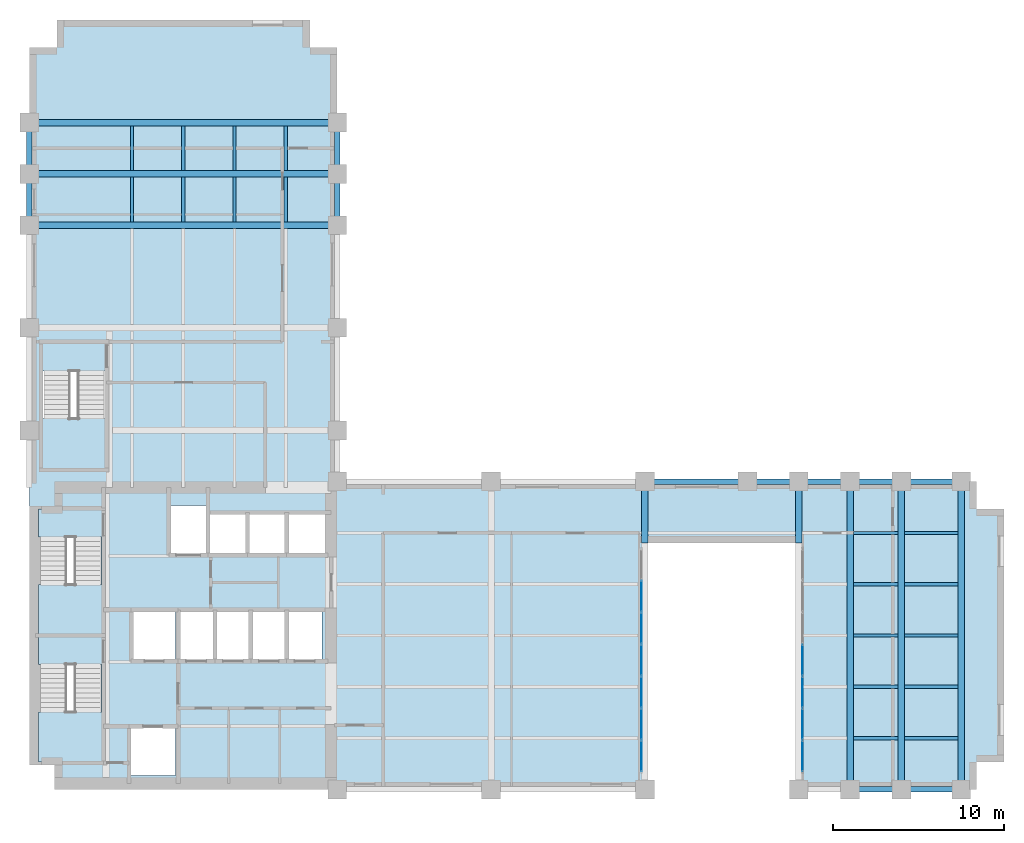
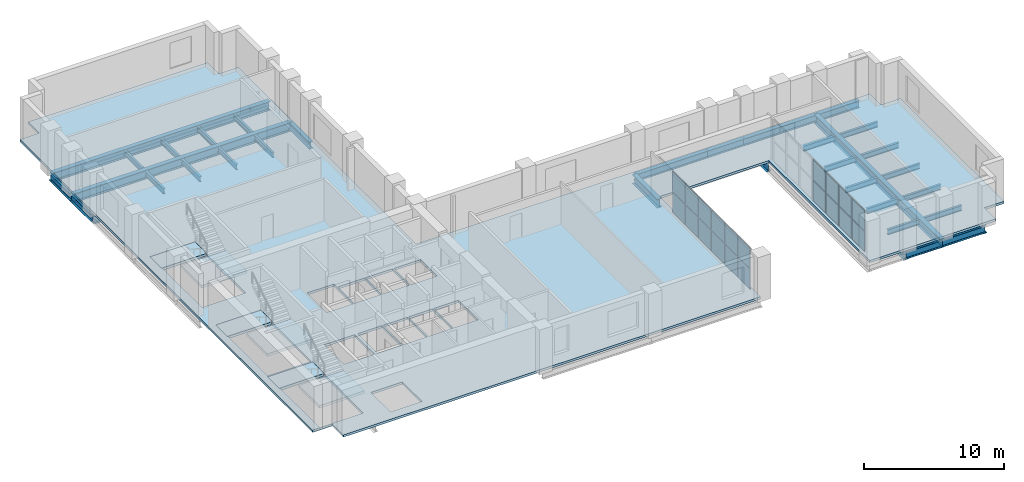
# One storey, part 5 of 10: 37 beams, 20 plates, 7 slabs, 5 elements without a shape of their own.
"""IFC4 building model written with IfcOpenShell, lengths in metres."""

from ifc_helpers import new_model, si_unit, direction, frame, origin, origin_2d, place, context, subcontext, project, spatial, polyline, rectangle, i_section, outline, extrude, material, layer, layer_set, material_profile, profile_set, type_object, element, aggregate, save


model = new_model("IFC4")

# Units and contexts
model_context = context("Model", 3, precision=1e-05, world=origin(), true_north=direction((0.0, 1.0)))
body_context = subcontext(model_context, "Body", "Model", "MODEL_VIEW")
ifc_project = project(units=[si_unit("LENGTHUNIT", "METRE"), si_unit("AREAUNIT", "SQUARE_METRE"), si_unit("VOLUMEUNIT", "CUBIC_METRE"), si_unit("PLANEANGLEUNIT", "RADIAN"), si_unit("MASSUNIT", "GRAM", prefix="KILO")], contexts=[model_context])

# Site, building, storey
site_placement = place(None, origin())
site = spatial("IfcSite", under=ifc_project, at=site_placement, CompositionType="ELEMENT")
building_placement = place(site_placement, origin())
building = spatial("IfcBuilding", under=site, at=building_placement, Name="Mawjdan Bourse Tower", CompositionType="ELEMENT")
storey_placement = place(building_placement, frame((0.0, 0.0, 124.5)))
storey = spatial("IfcBuildingStorey", under=building, at=storey_placement, Name="L29", CompositionType="ELEMENT", Elevation=124.5)

# Beams
ifc_material_1 = material(Name="Structural Steel S355", Category="steel")
ifc_material_profile_1 = material_profile(ifc_material_1, i_section(OverallWidth=0.381103515625, OverallDepth=0.77294921875, WebThickness=0.0166015625, FlangeThickness=0.027099609375, FilletRadius=0.021728515625, at=origin_2d()), Name="W30X173")
ifc_profile_set_1 = profile_set([ifc_material_profile_1], Name="Structural Steel S355")
beam_type_1 = type_object("IfcBeamType", Name="GRD-W30X173", PredefinedType="BEAM", material=ifc_profile_set_1)
for number, where, z_axis, x_axis, name in (
    (1, (42.0, 17.39990234375, -0.58642578125), (0.0, 1.0, 0.0), (-1.0, 0.0, 0.0), "L29 East Wing Clear-Span Girder 004"),
    (2, (51.0, 17.39990234375, -0.58642578125), (0.0, 1.0, 0.0), (-1.0, 0.0, 0.0), "L29 East Wing Clear-Span Girder 006"),
):
    element("IfcBeam", number, at=place(storey_placement, frame(where, z_axis=z_axis, x_axis=x_axis)), inside=storey, type_object=beam_type_1, Name=name, PredefinedType="BEAM", context=body_context, shape_type="SweptSolid", body=[
        extrude(i_section(OverallWidth=0.381103515625, OverallDepth=0.77294921875, WebThickness=0.0166015625, FlangeThickness=0.027099609375, FilletRadius=0.021728515625, at=origin_2d()), origin(), (0.0, 0.0, 1.0), 3.60009765625),
    ])
for number, where, z_axis, x_axis, name in (
    (3, (54.0, 3.0, -0.58642578125), (0.0, 1.0, 0.0), (-1.0, 0.0, 0.0), "L29 East Wing Clear-Span Girder 007"),
    (4, (57.0, 3.0, -0.58642578125), (0.0, 1.0, 0.0), (-1.0, 0.0, 0.0), "L29 East Wing Clear-Span Girder 008"),
    (5, (60.5, 3.0, -0.58642578125), (0.0, 1.0, 0.0), (-1.0, 0.0, 0.0), "L29 East Wing Clear-Span Girder 009"),
    (6, (6.0, 36.0, -0.58642578125), (1.0, 0.0, 0.0), (0.0, 1.0, 0.0), "L29 North Wing Clear-Span Girder 055"),
    (7, (6.0, 39.0, -0.58642578125), (1.0, 0.0, 0.0), (0.0, 1.0, 0.0), "L29 North Wing Clear-Span Girder 056"),
    (8, (6.0, 42.0, -0.58642578125), (1.0, 0.0, 0.0), (0.0, 1.0, 0.0), "L29 North Wing Clear-Span Girder 057"),
):
    element("IfcBeam", number, at=place(storey_placement, frame(where, z_axis=z_axis, x_axis=x_axis)), inside=storey, type_object=beam_type_1, Name=name, PredefinedType="BEAM", context=body_context, shape_type="SweptSolid", body=[
        extrude(i_section(OverallWidth=0.381103515625, OverallDepth=0.77294921875, WebThickness=0.0166015625, FlangeThickness=0.027099609375, FilletRadius=0.021728515625, at=origin_2d()), origin(), (0.0, 0.0, 1.0), 18.0),
    ])
ifc_material_profile_2 = material_profile(ifc_material_1, i_section(OverallWidth=0.19189453125, OverallDepth=0.462890625, WebThickness=0.010498046875, FlangeThickness=0.017578125, FilletRadius=0.01416015625, at=origin_2d()), Name="W18X60")
ifc_profile_set_2 = profile_set([ifc_material_profile_2], Name="Structural Steel S355")
beam_type_2 = type_object("IfcBeamType", Name="JST-W18X60", PredefinedType="JOIST", material=ifc_profile_set_2)
beam_1_placement = place(storey_placement, frame((54.1884765625, 6.0, -0.431396484375), z_axis=(1.0, 0.0, 0.0), x_axis=(0.0, 1.0, 0.0)))
element("IfcBeam", 9, at=beam_1_placement, inside=storey, type_object=beam_type_2, Name="L29 East Wing Composite Joist 025", PredefinedType="JOIST", context=body_context, shape_type="SweptSolid", body=[
    extrude(i_section(OverallWidth=0.19189453125, OverallDepth=0.462890625, WebThickness=0.010498046875, FlangeThickness=0.017578125, FilletRadius=0.01416015625, at=origin_2d()), origin(), (0.0, 0.0, 1.0), 2.623046875),
])
beam_2_placement = place(storey_placement, frame((57.1884765625, 6.0, -0.431396484375), z_axis=(1.0, 0.0, 0.0), x_axis=(0.0, 1.0, 0.0)))
element("IfcBeam", 10, at=beam_2_placement, inside=storey, type_object=beam_type_2, Name="L29 East Wing Composite Joist 026", PredefinedType="JOIST", context=body_context, shape_type="SweptSolid", body=[
    extrude(i_section(OverallWidth=0.19189453125, OverallDepth=0.462890625, WebThickness=0.010498046875, FlangeThickness=0.017578125, FilletRadius=0.01416015625, at=origin_2d()), origin(), (0.0, 0.0, 1.0), 3.123046875),
])
beam_3_placement = place(storey_placement, frame((54.1884765625, 9.0, -0.431396484375), z_axis=(1.0, 0.0, 0.0), x_axis=(0.0, 1.0, 0.0)))
element("IfcBeam", 11, at=beam_3_placement, inside=storey, type_object=beam_type_2, Name="L29 East Wing Composite Joist 030", PredefinedType="JOIST", context=body_context, shape_type="SweptSolid", body=[
    extrude(i_section(OverallWidth=0.19189453125, OverallDepth=0.462890625, WebThickness=0.010498046875, FlangeThickness=0.017578125, FilletRadius=0.01416015625, at=origin_2d()), origin(), (0.0, 0.0, 1.0), 2.623046875),
])
beam_4_placement = place(storey_placement, frame((57.1884765625, 9.0, -0.431396484375), z_axis=(1.0, 0.0, 0.0), x_axis=(0.0, 1.0, 0.0)))
element("IfcBeam", 12, at=beam_4_placement, inside=storey, type_object=beam_type_2, Name="L29 East Wing Composite Joist 031", PredefinedType="JOIST", context=body_context, shape_type="SweptSolid", body=[
    extrude(i_section(OverallWidth=0.19189453125, OverallDepth=0.462890625, WebThickness=0.010498046875, FlangeThickness=0.017578125, FilletRadius=0.01416015625, at=origin_2d()), origin(), (0.0, 0.0, 1.0), 3.123046875),
])
beam_5_placement = place(storey_placement, frame((54.1884765625, 12.0, -0.431396484375), z_axis=(1.0, 0.0, 0.0), x_axis=(0.0, 1.0, 0.0)))
element("IfcBeam", 13, at=beam_5_placement, inside=storey, type_object=beam_type_2, Name="L29 East Wing Composite Joist 035", PredefinedType="JOIST", context=body_context, shape_type="SweptSolid", body=[
    extrude(i_section(OverallWidth=0.19189453125, OverallDepth=0.462890625, WebThickness=0.010498046875, FlangeThickness=0.017578125, FilletRadius=0.01416015625, at=origin_2d()), origin(), (0.0, 0.0, 1.0), 2.623046875),
])
beam_6_placement = place(storey_placement, frame((57.1884765625, 12.0, -0.431396484375), z_axis=(1.0, 0.0, 0.0), x_axis=(0.0, 1.0, 0.0)))
element("IfcBeam", 14, at=beam_6_placement, inside=storey, type_object=beam_type_2, Name="L29 East Wing Composite Joist 036", PredefinedType="JOIST", context=body_context, shape_type="SweptSolid", body=[
    extrude(i_section(OverallWidth=0.19189453125, OverallDepth=0.462890625, WebThickness=0.010498046875, FlangeThickness=0.017578125, FilletRadius=0.01416015625, at=origin_2d()), origin(), (0.0, 0.0, 1.0), 3.123046875),
])
beam_7_placement = place(storey_placement, frame((54.1884765625, 15.0, -0.431396484375), z_axis=(1.0, 0.0, 0.0), x_axis=(0.0, 1.0, 0.0)))
element("IfcBeam", 15, at=beam_7_placement, inside=storey, type_object=beam_type_2, Name="L29 East Wing Composite Joist 040", PredefinedType="JOIST", context=body_context, shape_type="SweptSolid", body=[
    extrude(i_section(OverallWidth=0.19189453125, OverallDepth=0.462890625, WebThickness=0.010498046875, FlangeThickness=0.017578125, FilletRadius=0.01416015625, at=origin_2d()), origin(), (0.0, 0.0, 1.0), 2.623046875),
])
beam_8_placement = place(storey_placement, frame((57.1884765625, 15.0, -0.431396484375), z_axis=(1.0, 0.0, 0.0), x_axis=(0.0, 1.0, 0.0)))
element("IfcBeam", 16, at=beam_8_placement, inside=storey, type_object=beam_type_2, Name="L29 East Wing Composite Joist 041", PredefinedType="JOIST", context=body_context, shape_type="SweptSolid", body=[
    extrude(i_section(OverallWidth=0.19189453125, OverallDepth=0.462890625, WebThickness=0.010498046875, FlangeThickness=0.017578125, FilletRadius=0.01416015625, at=origin_2d()), origin(), (0.0, 0.0, 1.0), 3.123046875),
])
beam_9_placement = place(storey_placement, frame((54.1884765625, 18.0, -0.431396484375), z_axis=(1.0, 0.0, 0.0), x_axis=(0.0, 1.0, 0.0)))
element("IfcBeam", 17, at=beam_9_placement, inside=storey, type_object=beam_type_2, Name="L29 East Wing Composite Joist 046", PredefinedType="JOIST", context=body_context, shape_type="SweptSolid", body=[
    extrude(i_section(OverallWidth=0.19189453125, OverallDepth=0.462890625, WebThickness=0.010498046875, FlangeThickness=0.017578125, FilletRadius=0.01416015625, at=origin_2d()), origin(), (0.0, 0.0, 1.0), 2.623046875),
])
beam_10_placement = place(storey_placement, frame((57.1884765625, 18.0, -0.431396484375), z_axis=(1.0, 0.0, 0.0), x_axis=(0.0, 1.0, 0.0)))
element("IfcBeam", 18, at=beam_10_placement, inside=storey, type_object=beam_type_2, Name="L29 East Wing Composite Joist 047", PredefinedType="JOIST", context=body_context, shape_type="SweptSolid", body=[
    extrude(i_section(OverallWidth=0.19189453125, OverallDepth=0.462890625, WebThickness=0.010498046875, FlangeThickness=0.017578125, FilletRadius=0.01416015625, at=origin_2d()), origin(), (0.0, 0.0, 1.0), 3.123046875),
])
for number, where, z_axis, x_axis, name in (
    (19, (12.0, 36.1884765625, -0.431396484375), (0.0, 1.0, 0.0), (-1.0, 0.0, 0.0), "L29 North Wing Composite Joist 071"),
    (20, (12.0, 39.1884765625, -0.431396484375), (0.0, 1.0, 0.0), (-1.0, 0.0, 0.0), "L29 North Wing Composite Joist 072"),
    (21, (15.0, 36.1884765625, -0.431396484375), (0.0, 1.0, 0.0), (-1.0, 0.0, 0.0), "L29 North Wing Composite Joist 076"),
    (22, (15.0, 39.1884765625, -0.431396484375), (0.0, 1.0, 0.0), (-1.0, 0.0, 0.0), "L29 North Wing Composite Joist 077"),
    (23, (18.0, 36.1884765625, -0.431396484375), (0.0, 1.0, 0.0), (-1.0, 0.0, 0.0), "L29 North Wing Composite Joist 081"),
    (24, (18.0, 39.1884765625, -0.431396484375), (0.0, 1.0, 0.0), (-1.0, 0.0, 0.0), "L29 North Wing Composite Joist 082"),
    (25, (21.0, 36.1884765625, -0.431396484375), (0.0, 1.0, 0.0), (-1.0, 0.0, 0.0), "L29 North Wing Composite Joist 086"),
    (26, (21.0, 39.1884765625, -0.431396484375), (0.0, 1.0, 0.0), (-1.0, 0.0, 0.0), "L29 North Wing Composite Joist 087"),
):
    element("IfcBeam", number, at=place(storey_placement, frame(where, z_axis=z_axis, x_axis=x_axis)), inside=storey, type_object=beam_type_2, Name=name, PredefinedType="JOIST", context=body_context, shape_type="SweptSolid", body=[
        extrude(i_section(OverallWidth=0.19189453125, OverallDepth=0.462890625, WebThickness=0.010498046875, FlangeThickness=0.017578125, FilletRadius=0.01416015625, at=origin_2d()), origin(), (0.0, 0.0, 1.0), 2.623046875),
    ])
ifc_material_profile_3 = material_profile(ifc_material_1, i_section(OverallWidth=0.324951171875, OverallDepth=0.616943359375, WebThickness=0.013916015625, FlangeThickness=0.021484375, FilletRadius=0.017333984375, at=origin_2d()), Name="W24X117")
ifc_profile_set_3 = profile_set([ifc_material_profile_3], Name="Structural Steel S355")
beam_type_3 = type_object("IfcBeamType", Name="SPN-W24X117", PredefinedType="SPANDREL", material=ifc_profile_set_3)
beam_11_placement = place(storey_placement, frame((54.0, 3.0, -0.508544921875), z_axis=(1.0, 0.0, 0.0), x_axis=(0.0, 1.0, 0.0)))
element("IfcBeam", 27, at=beam_11_placement, inside=storey, type_object=beam_type_3, Name="L29 Perimeter Masonry-Shelf Spandrel 013", PredefinedType="SPANDREL", context=body_context, shape_type="SweptSolid", body=[
    extrude(i_section(OverallWidth=0.324951171875, OverallDepth=0.616943359375, WebThickness=0.013916015625, FlangeThickness=0.021484375, FilletRadius=0.017333984375, at=origin_2d()), origin(), (0.0, 0.0, 1.0), 3.0),
])
beam_12_placement = place(storey_placement, frame((57.0, 3.0, -0.508544921875), z_axis=(1.0, 0.0, 0.0), x_axis=(0.0, 1.0, 0.0)))
element("IfcBeam", 28, at=beam_12_placement, inside=storey, type_object=beam_type_3, Name="L29 Perimeter Masonry-Shelf Spandrel 014", PredefinedType="SPANDREL", context=body_context, shape_type="SweptSolid", body=[
    extrude(i_section(OverallWidth=0.324951171875, OverallDepth=0.616943359375, WebThickness=0.013916015625, FlangeThickness=0.021484375, FilletRadius=0.017333984375, at=origin_2d()), origin(), (0.0, 0.0, 1.0), 3.5),
])
beam_13_placement = place(storey_placement, frame((42.0, 21.0, -0.508544921875), z_axis=(1.0, 0.0, 0.0), x_axis=(0.0, 1.0, 0.0)))
element("IfcBeam", 29, at=beam_13_placement, inside=storey, type_object=beam_type_3, Name="L29 Perimeter Masonry-Shelf Spandrel 017", PredefinedType="SPANDREL", context=body_context, shape_type="SweptSolid", body=[
    extrude(i_section(OverallWidth=0.324951171875, OverallDepth=0.616943359375, WebThickness=0.013916015625, FlangeThickness=0.021484375, FilletRadius=0.017333984375, at=origin_2d()), origin(), (0.0, 0.0, 1.0), 6.0),
])
for number, where, z_axis, x_axis, name in (
    (30, (48.0, 21.0, -0.508544921875), (1.0, 0.0, 0.0), (0.0, 1.0, 0.0), "L29 Perimeter Masonry-Shelf Spandrel 018"),
    (31, (51.0, 21.0, -0.508544921875), (1.0, 0.0, 0.0), (0.0, 1.0, 0.0), "L29 Perimeter Masonry-Shelf Spandrel 019"),
    (32, (54.0, 21.0, -0.508544921875), (1.0, 0.0, 0.0), (0.0, 1.0, 0.0), "L29 Perimeter Masonry-Shelf Spandrel 020"),
):
    element("IfcBeam", number, at=place(storey_placement, frame(where, z_axis=z_axis, x_axis=x_axis)), inside=storey, type_object=beam_type_3, Name=name, PredefinedType="SPANDREL", context=body_context, shape_type="SweptSolid", body=[
        extrude(i_section(OverallWidth=0.324951171875, OverallDepth=0.616943359375, WebThickness=0.013916015625, FlangeThickness=0.021484375, FilletRadius=0.017333984375, at=origin_2d()), origin(), (0.0, 0.0, 1.0), 3.0),
    ])
beam_14_placement = place(storey_placement, frame((57.0, 21.0, -0.508544921875), z_axis=(1.0, 0.0, 0.0), x_axis=(0.0, 1.0, 0.0)))
element("IfcBeam", 33, at=beam_14_placement, inside=storey, type_object=beam_type_3, Name="L29 Perimeter Masonry-Shelf Spandrel 021", PredefinedType="SPANDREL", context=body_context, shape_type="SweptSolid", body=[
    extrude(i_section(OverallWidth=0.324951171875, OverallDepth=0.616943359375, WebThickness=0.013916015625, FlangeThickness=0.021484375, FilletRadius=0.017333984375, at=origin_2d()), origin(), (0.0, 0.0, 1.0), 3.5),
])
for number, where, z_axis, x_axis, name in (
    (34, (6.0, 36.0, -0.508544921875), (0.0, 1.0, 0.0), (-1.0, 0.0, 0.0), "L29 North Wing Spandrel 061"),
    (35, (6.0, 39.0, -0.508544921875), (0.0, 1.0, 0.0), (-1.0, 0.0, 0.0), "L29 North Wing Spandrel 062"),
    (36, (24.0, 36.0, -0.508544921875), (0.0, 1.0, 0.0), (-1.0, 0.0, 0.0), "L29 North Wing Spandrel 066"),
    (37, (24.0, 39.0, -0.508544921875), (0.0, 1.0, 0.0), (-1.0, 0.0, 0.0), "L29 North Wing Spandrel 067"),
):
    element("IfcBeam", number, at=place(storey_placement, frame(where, z_axis=z_axis, x_axis=x_axis)), inside=storey, type_object=beam_type_3, Name=name, PredefinedType="SPANDREL", context=body_context, shape_type="SweptSolid", body=[
        extrude(i_section(OverallWidth=0.324951171875, OverallDepth=0.616943359375, WebThickness=0.013916015625, FlangeThickness=0.021484375, FilletRadius=0.017333984375, at=origin_2d()), origin(), (0.0, 0.0, 1.0), 3.0),
    ])

# Curtain wall, plates
ifc_material_2 = material(Name="Thermally Broken Aluminium and Solar Glass", Category="aluminium")
ifc_layer_1 = layer(ifc_material_2, 0.219970703125)
ifc_layer_set_1 = layer_set([ifc_layer_1], Name="Thermally Broken Aluminium and Solar Glass")
curtain_wall_type = type_object("IfcCurtainWallType", Name="CW-POR", PredefinedType="USERDEFINED", material=ifc_layer_set_1)
curtain_wall_1_placement = place(storey_placement, origin())
curtain_wall_1 = element("IfcCurtainWall", 38, at=curtain_wall_1_placement, inside=storey, type_object=curtain_wall_type, Name="L29 East Void Portal Glazed Cheek 1", ObjectType="VOID PORTAL CURTAIN WALL", PredefinedType="USERDEFINED")
ifc_material_3 = material(Name="Wind-Rated Portal Clear Glass", Category="glass")
ifc_layer_2 = layer(ifc_material_3, 0.0400390625)
ifc_layer_set_2 = layer_set([ifc_layer_2], Name="Wind-Rated Portal Clear Glass")
plate_type = type_object("IfcPlateType", Name="PNL-CW-POR", PredefinedType="CURTAIN_PANEL", material=ifc_layer_set_2)
plate_1_placement = place(storey_placement, frame((41.7900390625, 4.953125, 0.054931640625), z_axis=(0.0, 0.0, 1.0), x_axis=(0.0, 1.0, 0.0)))
plate_1 = element("IfcPlate", 39, at=plate_1_placement, type_object=plate_type, Name="CW-POR-L29-POR-E1 panel 1.1", PredefinedType="CURTAIN_PANEL", context=body_context, shape_type="SweptSolid", body=[
    extrude(rectangle(XDim=1.766357421875, YDim=0.0400390625, at=origin_2d()), origin(), (0.0, 0.0, 1.0), 1.767578125),
])
plate_2_placement = place(storey_placement, frame((41.7900390625, 4.953125, 1.87744140625), z_axis=(0.0, 0.0, 1.0), x_axis=(0.0, 1.0, 0.0)))
plate_2 = element("IfcPlate", 40, at=plate_2_placement, type_object=plate_type, Name="CW-POR-L29-POR-E1 panel 1.2", PredefinedType="CURTAIN_PANEL", context=body_context, shape_type="SweptSolid", body=[
    extrude(rectangle(XDim=1.766357421875, YDim=0.0400390625, at=origin_2d()), origin(), (0.0, 0.0, 1.0), 1.767578125),
])
plate_3_placement = place(storey_placement, frame((41.7900390625, 6.80712890625, 0.054931640625), z_axis=(0.0, 0.0, 1.0), x_axis=(0.0, 1.0, 0.0)))
plate_3 = element("IfcPlate", 41, at=plate_3_placement, type_object=plate_type, Name="CW-POR-L29-POR-E1 panel 2.1", PredefinedType="CURTAIN_PANEL", context=body_context, shape_type="SweptSolid", body=[
    extrude(rectangle(XDim=1.801513671875, YDim=0.0400390625, at=origin_2d()), origin(), (0.0, 0.0, 1.0), 1.767578125),
])
plate_4_placement = place(storey_placement, frame((41.7900390625, 6.80712890625, 1.87744140625), z_axis=(0.0, 0.0, 1.0), x_axis=(0.0, 1.0, 0.0)))
plate_4 = element("IfcPlate", 42, at=plate_4_placement, type_object=plate_type, Name="CW-POR-L29-POR-E1 panel 2.2", PredefinedType="CURTAIN_PANEL", context=body_context, shape_type="SweptSolid", body=[
    extrude(rectangle(XDim=1.801513671875, YDim=0.0400390625, at=origin_2d()), origin(), (0.0, 0.0, 1.0), 1.767578125),
])
plate_5_placement = place(storey_placement, frame((41.7900390625, 8.678466796875, 0.054931640625), z_axis=(0.0, 0.0, 1.0), x_axis=(0.0, 1.0, 0.0)))
plate_5 = element("IfcPlate", 43, at=plate_5_placement, type_object=plate_type, Name="CW-POR-L29-POR-E1 panel 3.1", PredefinedType="CURTAIN_PANEL", context=body_context, shape_type="SweptSolid", body=[
    extrude(rectangle(XDim=1.801513671875, YDim=0.0400390625, at=origin_2d()), origin(), (0.0, 0.0, 1.0), 1.767578125),
])
plate_6_placement = place(storey_placement, frame((41.7900390625, 8.678466796875, 1.87744140625), z_axis=(0.0, 0.0, 1.0), x_axis=(0.0, 1.0, 0.0)))
plate_6 = element("IfcPlate", 44, at=plate_6_placement, type_object=plate_type, Name="CW-POR-L29-POR-E1 panel 3.2", PredefinedType="CURTAIN_PANEL", context=body_context, shape_type="SweptSolid", body=[
    extrude(rectangle(XDim=1.801513671875, YDim=0.0400390625, at=origin_2d()), origin(), (0.0, 0.0, 1.0), 1.767578125),
])
plate_7_placement = place(storey_placement, frame((41.7900390625, 10.550048828125, 0.054931640625), z_axis=(0.0, 0.0, 1.0), x_axis=(0.0, 1.0, 0.0)))
plate_7 = element("IfcPlate", 45, at=plate_7_placement, type_object=plate_type, Name="CW-POR-L29-POR-E1 panel 4.1", PredefinedType="CURTAIN_PANEL", context=body_context, shape_type="SweptSolid", body=[
    extrude(rectangle(XDim=1.801513671875, YDim=0.0400390625, at=origin_2d()), origin(), (0.0, 0.0, 1.0), 1.767578125),
])
plate_8_placement = place(storey_placement, frame((41.7900390625, 10.550048828125, 1.87744140625), z_axis=(0.0, 0.0, 1.0), x_axis=(0.0, 1.0, 0.0)))
plate_8 = element("IfcPlate", 46, at=plate_8_placement, type_object=plate_type, Name="CW-POR-L29-POR-E1 panel 4.2", PredefinedType="CURTAIN_PANEL", context=body_context, shape_type="SweptSolid", body=[
    extrude(rectangle(XDim=1.801513671875, YDim=0.0400390625, at=origin_2d()), origin(), (0.0, 0.0, 1.0), 1.767578125),
])
plate_9_placement = place(storey_placement, frame((41.7900390625, 12.42138671875, 0.054931640625), z_axis=(0.0, 0.0, 1.0), x_axis=(0.0, 1.0, 0.0)))
plate_9 = element("IfcPlate", 47, at=plate_9_placement, type_object=plate_type, Name="CW-POR-L29-POR-E1 panel 5.1", PredefinedType="CURTAIN_PANEL", context=body_context, shape_type="SweptSolid", body=[
    extrude(rectangle(XDim=1.801513671875, YDim=0.0400390625, at=origin_2d()), origin(), (0.0, 0.0, 1.0), 1.767578125),
])
plate_10_placement = place(storey_placement, frame((41.7900390625, 12.42138671875, 1.87744140625), z_axis=(0.0, 0.0, 1.0), x_axis=(0.0, 1.0, 0.0)))
plate_10 = element("IfcPlate", 48, at=plate_10_placement, type_object=plate_type, Name="CW-POR-L29-POR-E1 panel 5.2", PredefinedType="CURTAIN_PANEL", context=body_context, shape_type="SweptSolid", body=[
    extrude(rectangle(XDim=1.801513671875, YDim=0.0400390625, at=origin_2d()), origin(), (0.0, 0.0, 1.0), 1.767578125),
])
plate_11_placement = place(storey_placement, frame((41.7900390625, 14.29296875, 0.054931640625), z_axis=(0.0, 0.0, 1.0), x_axis=(0.0, 1.0, 0.0)))
plate_11 = element("IfcPlate", 49, at=plate_11_placement, type_object=plate_type, Name="CW-POR-L29-POR-E1 panel 6.1", PredefinedType="CURTAIN_PANEL", context=body_context, shape_type="SweptSolid", body=[
    extrude(rectangle(XDim=1.801513671875, YDim=0.0400390625, at=origin_2d()), origin(), (0.0, 0.0, 1.0), 1.767578125),
])
plate_12_placement = place(storey_placement, frame((41.7900390625, 14.29296875, 1.87744140625), z_axis=(0.0, 0.0, 1.0), x_axis=(0.0, 1.0, 0.0)))
plate_12 = element("IfcPlate", 50, at=plate_12_placement, type_object=plate_type, Name="CW-POR-L29-POR-E1 panel 6.2", PredefinedType="CURTAIN_PANEL", context=body_context, shape_type="SweptSolid", body=[
    extrude(rectangle(XDim=1.801513671875, YDim=0.0400390625, at=origin_2d()), origin(), (0.0, 0.0, 1.0), 1.767578125),
])
aggregate(curtain_wall_1, [plate_1, plate_2, plate_3, plate_4, plate_5, plate_6, plate_7, plate_8, plate_9, plate_10, plate_11, plate_12])

curtain_wall_2_placement = place(storey_placement, origin())
curtain_wall_2 = element("IfcCurtainWall", 51, at=curtain_wall_2_placement, inside=storey, type_object=curtain_wall_type, Name="L29 East Void Portal Glazed Cheek 3", ObjectType="VOID PORTAL CURTAIN WALL", PredefinedType="USERDEFINED")
plate_13_placement = place(storey_placement, frame((51.2099609375, 10.550048828125, 0.054931640625), z_axis=(0.0, 0.0, 1.0), x_axis=(0.0, -1.0, 0.0)))
plate_13 = element("IfcPlate", 52, at=plate_13_placement, type_object=plate_type, Name="CW-POR-L29-POR-E3 panel 4.1", PredefinedType="CURTAIN_PANEL", context=body_context, shape_type="SweptSolid", body=[
    extrude(rectangle(XDim=1.801513671875, YDim=0.0400390625, at=origin_2d()), origin(), (0.0, 0.0, 1.0), 1.767578125),
])
plate_14_placement = place(storey_placement, frame((51.2099609375, 10.550048828125, 1.87744140625), z_axis=(0.0, 0.0, 1.0), x_axis=(0.0, -1.0, 0.0)))
plate_14 = element("IfcPlate", 53, at=plate_14_placement, type_object=plate_type, Name="CW-POR-L29-POR-E3 panel 4.2", PredefinedType="CURTAIN_PANEL", context=body_context, shape_type="SweptSolid", body=[
    extrude(rectangle(XDim=1.801513671875, YDim=0.0400390625, at=origin_2d()), origin(), (0.0, 0.0, 1.0), 1.767578125),
])
plate_15_placement = place(storey_placement, frame((51.2099609375, 8.678466796875, 0.054931640625), z_axis=(0.0, 0.0, 1.0), x_axis=(0.0, -1.0, 0.0)))
plate_15 = element("IfcPlate", 54, at=plate_15_placement, type_object=plate_type, Name="CW-POR-L29-POR-E3 panel 5.1", PredefinedType="CURTAIN_PANEL", context=body_context, shape_type="SweptSolid", body=[
    extrude(rectangle(XDim=1.801513671875, YDim=0.0400390625, at=origin_2d()), origin(), (0.0, 0.0, 1.0), 1.767578125),
])
plate_16_placement = place(storey_placement, frame((51.2099609375, 8.678466796875, 1.87744140625), z_axis=(0.0, 0.0, 1.0), x_axis=(0.0, -1.0, 0.0)))
plate_16 = element("IfcPlate", 55, at=plate_16_placement, type_object=plate_type, Name="CW-POR-L29-POR-E3 panel 5.2", PredefinedType="CURTAIN_PANEL", context=body_context, shape_type="SweptSolid", body=[
    extrude(rectangle(XDim=1.801513671875, YDim=0.0400390625, at=origin_2d()), origin(), (0.0, 0.0, 1.0), 1.767578125),
])
plate_17_placement = place(storey_placement, frame((51.2099609375, 6.80712890625, 0.054931640625), z_axis=(0.0, 0.0, 1.0), x_axis=(0.0, -1.0, 0.0)))
plate_17 = element("IfcPlate", 56, at=plate_17_placement, type_object=plate_type, Name="CW-POR-L29-POR-E3 panel 6.1", PredefinedType="CURTAIN_PANEL", context=body_context, shape_type="SweptSolid", body=[
    extrude(rectangle(XDim=1.801513671875, YDim=0.0400390625, at=origin_2d()), origin(), (0.0, 0.0, 1.0), 1.767578125),
])
plate_18_placement = place(storey_placement, frame((51.2099609375, 6.80712890625, 1.87744140625), z_axis=(0.0, 0.0, 1.0), x_axis=(0.0, -1.0, 0.0)))
plate_18 = element("IfcPlate", 57, at=plate_18_placement, type_object=plate_type, Name="CW-POR-L29-POR-E3 panel 6.2", PredefinedType="CURTAIN_PANEL", context=body_context, shape_type="SweptSolid", body=[
    extrude(rectangle(XDim=1.801513671875, YDim=0.0400390625, at=origin_2d()), origin(), (0.0, 0.0, 1.0), 1.767578125),
])
plate_19_placement = place(storey_placement, frame((51.2099609375, 4.953125, 0.054931640625), z_axis=(0.0, 0.0, 1.0), x_axis=(0.0, -1.0, 0.0)))
plate_19 = element("IfcPlate", 58, at=plate_19_placement, type_object=plate_type, Name="CW-POR-L29-POR-E3 panel 7.1", PredefinedType="CURTAIN_PANEL", context=body_context, shape_type="SweptSolid", body=[
    extrude(rectangle(XDim=1.766357421875, YDim=0.0400390625, at=origin_2d()), origin(), (0.0, 0.0, 1.0), 1.767578125),
])
plate_20_placement = place(storey_placement, frame((51.2099609375, 4.953125, 1.87744140625), z_axis=(0.0, 0.0, 1.0), x_axis=(0.0, -1.0, 0.0)))
plate_20 = element("IfcPlate", 59, at=plate_20_placement, type_object=plate_type, Name="CW-POR-L29-POR-E3 panel 7.2", PredefinedType="CURTAIN_PANEL", context=body_context, shape_type="SweptSolid", body=[
    extrude(rectangle(XDim=1.766357421875, YDim=0.0400390625, at=origin_2d()), origin(), (0.0, 0.0, 1.0), 1.767578125),
])
aggregate(curtain_wall_2, [plate_13, plate_14, plate_15, plate_16, plate_17, plate_18, plate_19, plate_20])

# Stair, slabs
ifc_material_4 = material(Name="Concrete C50/60", Category="concrete")
stair_type = type_object("IfcStairType", Name="STR-CORE-1500", PredefinedType="HALF_TURN_STAIR", material=ifc_material_4)
stair_1_placement = place(storey_placement, origin())
stair_1 = element("IfcStair", 60, at=stair_1_placement, inside=storey, type_object=stair_type, Name="L29 Exit Stair 1 (Core South-West)", PredefinedType="HALF_TURN_STAIR")
ifc_layer_3 = layer(ifc_material_4, 0.22998046875)
ifc_layer_set_3 = layer_set([ifc_layer_3], Name="Concrete C50/60")
slab_type_1 = type_object("IfcSlabType", Name="SL-LND-230", PredefinedType="LANDING", material=ifc_layer_set_3)
slab_1_placement = place(storey_placement, frame((0.0, 0.0, -0.22998046875)))
slab_1 = element("IfcSlab", 61, at=slab_1_placement, type_object=slab_type_1, Name="ST1-L29 landing 1", PredefinedType="LANDING", context=body_context, shape_type="SweptSolid", body=[
    extrude(outline(polyline([(6.5400390625, 10.31005859375), (10.260009765625, 10.31005859375), (10.260009765625, 11.969970703125), (6.5400390625, 11.969970703125), (6.5400390625, 10.31005859375)])), origin(), (0.0, 0.0, 1.0), 0.22998046875),
])
slab_2_placement = place(storey_placement, frame((0.0, 0.0, 1.719970703125)))
slab_2 = element("IfcSlab", 62, at=slab_2_placement, type_object=slab_type_1, Name="ST1-L29 landing 2", PredefinedType="LANDING", context=body_context, shape_type="SweptSolid", body=[
    extrude(outline(polyline([(6.5400390625, 4.590087890625), (10.260009765625, 4.590087890625), (10.260009765625, 7.5400390625), (6.5400390625, 7.5400390625), (6.5400390625, 4.590087890625)])), origin(), (0.0, 0.0, 1.0), 0.22998046875),
])
aggregate(stair_1, [slab_1, slab_2])

stair_2_placement = place(storey_placement, origin())
stair_2 = element("IfcStair", 63, at=stair_2_placement, inside=storey, type_object=stair_type, Name="L29 Exit Stair 2 (Core North-West)", PredefinedType="HALF_TURN_STAIR")
slab_3_placement = place(storey_placement, frame((0.0, 0.0, -0.22998046875)))
slab_3 = element("IfcSlab", 64, at=slab_3_placement, type_object=slab_type_1, Name="ST2-L29 landing 1", PredefinedType="LANDING", context=body_context, shape_type="SweptSolid", body=[
    extrude(outline(polyline([(6.5400390625, 17.75), (10.260009765625, 17.75), (10.260009765625, 19.409912109375), (6.5400390625, 19.409912109375), (6.5400390625, 17.75)])), origin(), (0.0, 0.0, 1.0), 0.22998046875),
])
slab_4_placement = place(storey_placement, frame((0.0, 0.0, 1.719970703125)))
slab_4 = element("IfcSlab", 65, at=slab_4_placement, type_object=slab_type_1, Name="ST2-L29 landing 2", PredefinedType="LANDING", context=body_context, shape_type="SweptSolid", body=[
    extrude(outline(polyline([(6.5400390625, 12.030029296875), (10.260009765625, 12.030029296875), (10.260009765625, 14.97998046875), (6.5400390625, 14.97998046875), (6.5400390625, 12.030029296875)])), origin(), (0.0, 0.0, 1.0), 0.22998046875),
])
aggregate(stair_2, [slab_3, slab_4])

stair_3_placement = place(storey_placement, origin())
stair_3 = element("IfcStair", 66, at=stair_3_placement, inside=storey, type_object=stair_type, Name="L29 Exit Stair 3 (North Wing)", PredefinedType="HALF_TURN_STAIR")
slab_5_placement = place(storey_placement, frame((0.0, 0.0, -0.22998046875)))
slab_5 = element("IfcSlab", 67, at=slab_5_placement, type_object=slab_type_1, Name="ST3-L29 landing 1", PredefinedType="LANDING", context=body_context, shape_type="SweptSolid", body=[
    extrude(outline(polyline([(6.739990234375, 27.4599609375), (10.4599609375, 27.4599609375), (10.4599609375, 29.1201171875), (6.739990234375, 29.1201171875), (6.739990234375, 27.4599609375)])), origin(), (0.0, 0.0, 1.0), 0.22998046875),
])
slab_6_placement = place(storey_placement, frame((0.0, 0.0, 1.719970703125)))
slab_6 = element("IfcSlab", 68, at=slab_6_placement, type_object=slab_type_1, Name="ST3-L29 landing 2", PredefinedType="LANDING", context=body_context, shape_type="SweptSolid", body=[
    extrude(outline(polyline([(6.739990234375, 21.739990234375), (10.4599609375, 21.739990234375), (10.4599609375, 24.68994140625), (6.739990234375, 24.68994140625), (6.739990234375, 21.739990234375)])), origin(), (0.0, 0.0, 1.0), 0.22998046875),
])
aggregate(stair_3, [slab_5, slab_6])

# Slab
ifc_layer_4 = layer(ifc_material_4, 0.199951171875)
ifc_layer_set_4 = layer_set([ifc_layer_4], Name="Concrete C50/60")
slab_type_2 = type_object("IfcSlabType", Name="SL-OFC-200", PredefinedType="FLOOR", material=ifc_layer_set_4)
slab_7_placement = place(storey_placement, frame((0.0, 0.0, -0.199951171875)))
element("IfcSlab", 69, at=slab_7_placement, inside=storey, type_object=slab_type_2, Name="L29 Structural Floor Slab 1", PredefinedType="FLOOR", context=body_context, shape_type="SweptSolid", body=[
    extrude(outline(polyline([(7.60009765625, 3.0), (42.0, 3.0), (42.0, 17.39990234375), (51.0, 17.39990234375), (51.0, 3.0), (61.39990234375, 3.0), (61.39990234375, 4.60009765625), (63.0, 4.60009765625), (63.0, 19.39990234375), (61.39990234375, 19.39990234375), (61.39990234375, 21.0), (24.0, 21.0), (24.0, 46.39990234375), (22.39990234375, 46.39990234375), (22.39990234375, 48.0), (7.60009765625, 48.0), (7.60009765625, 46.39990234375), (6.0, 46.39990234375), (6.0, 4.60009765625), (7.60009765625, 4.60009765625), (7.60009765625, 3.0)]), holes=[polyline([(11.949951171875, 3.800048828125), (11.949951171875, 6.60009765625), (14.550048828125, 6.60009765625), (14.550048828125, 3.800048828125), (11.949951171875, 3.800048828125)]), polyline([(6.60009765625, 10.31005859375), (6.5400390625, 10.31005859375), (6.5400390625, 11.969970703125), (10.260009765625, 11.969970703125), (10.260009765625, 10.31005859375), (10.199951171875, 10.31005859375), (10.199951171875, 4.64990234375), (6.60009765625, 4.64990234375), (6.60009765625, 10.31005859375)]), polyline([(12.050048828125, 10.60009765625), (12.050048828125, 13.39990234375), (14.550048828125, 13.39990234375), (14.550048828125, 10.60009765625), (12.050048828125, 10.60009765625)]), polyline([(10.260009765625, 19.409912109375), (10.260009765625, 17.75), (10.199951171875, 17.75), (10.199951171875, 12.090087890625), (6.60009765625, 12.090087890625), (6.60009765625, 17.75), (6.5400390625, 17.75), (6.5400390625, 19.409912109375), (10.260009765625, 19.409912109375)]), polyline([(10.4599609375, 29.1201171875), (10.4599609375, 27.4599609375), (10.39990234375, 27.4599609375), (10.39990234375, 21.800048828125), (6.800048828125, 21.800048828125), (6.800048828125, 27.4599609375), (6.739990234375, 27.4599609375), (6.739990234375, 29.1201171875), (10.4599609375, 29.1201171875)]), polyline([(14.800048828125, 10.60009765625), (14.800048828125, 13.39990234375), (16.800048828125, 13.39990234375), (16.800048828125, 10.60009765625), (14.800048828125, 10.60009765625)]), polyline([(16.89990234375, 10.60009765625), (16.89990234375, 13.39990234375), (18.89990234375, 13.39990234375), (18.89990234375, 10.60009765625), (16.89990234375, 10.60009765625)]), polyline([(19.0, 10.60009765625), (19.0, 13.39990234375), (21.0, 13.39990234375), (21.0, 10.60009765625), (19.0, 10.60009765625)]), polyline([(21.10009765625, 10.60009765625), (21.10009765625, 13.39990234375), (23.10009765625, 13.39990234375), (23.10009765625, 10.60009765625), (21.10009765625, 10.60009765625)]), polyline([(16.5, 16.800048828125), (16.5, 19.14990234375), (18.699951171875, 19.14990234375), (18.699951171875, 16.800048828125), (16.5, 16.800048828125)]), polyline([(18.800048828125, 16.800048828125), (18.800048828125, 19.14990234375), (21.0, 19.14990234375), (21.0, 16.800048828125), (18.800048828125, 16.800048828125)]), polyline([(21.10009765625, 16.800048828125), (21.10009765625, 19.14990234375), (23.300048828125, 19.14990234375), (23.300048828125, 16.800048828125), (21.10009765625, 16.800048828125)]), polyline([(14.199951171875, 16.800048828125), (14.199951171875, 19.60009765625), (16.39990234375, 19.60009765625), (16.39990234375, 16.800048828125), (14.199951171875, 16.800048828125)])]), origin(), (0.0, 0.0, 1.0), 0.199951171875),
])

save(model, "model.ifc")
